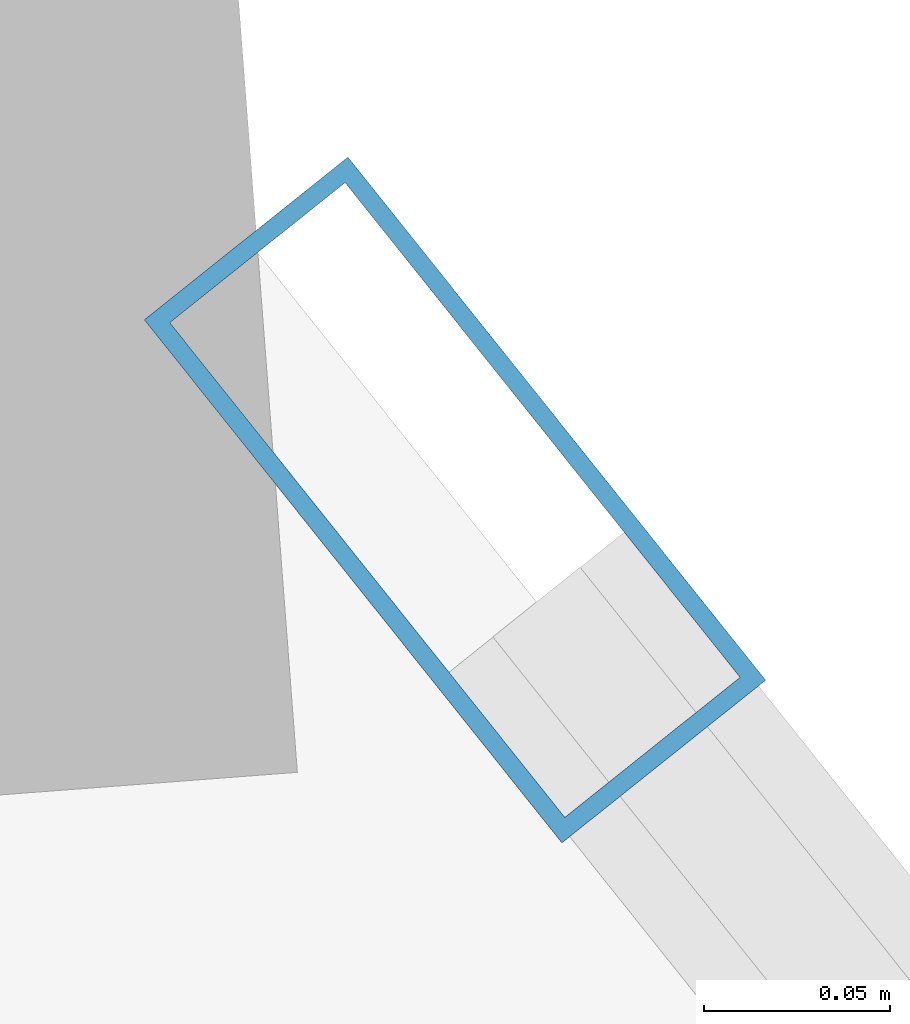
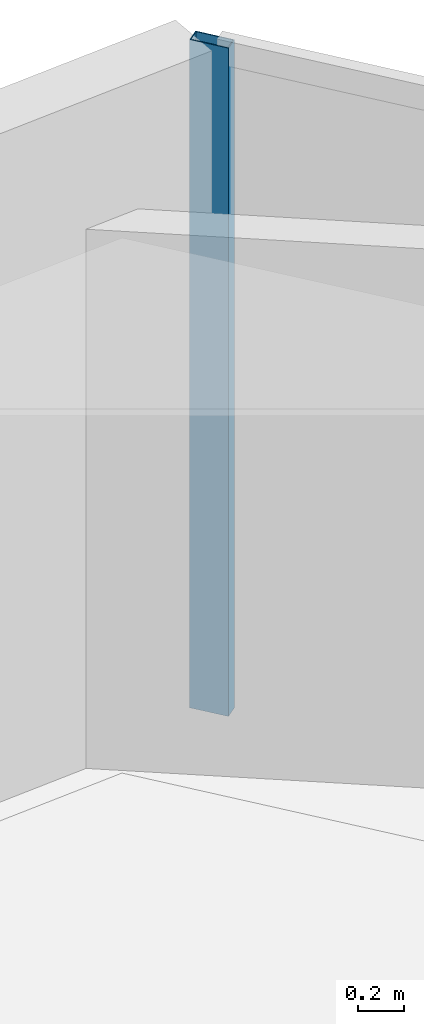
# One storey, part 15 of 23: 1 member, 1 element without a shape of its own.
"""IFC4 building model written with IfcOpenShell, lengths in metres."""

from ifc_helpers import new_model, si_unit, direction, frame, origin, origin_2d, place, context, subcontext, project, spatial, hollow_rectangle, extrude, material, layer, layer_set, material_profile, profile_set, type_object, element, aggregate, save


model = new_model("IFC4")

# Units and contexts
model_context = context("Model", 3, precision=1e-05, world=origin(), true_north=direction((0.0, 1.0)))
body_context = subcontext(model_context, "Body", "Model", "MODEL_VIEW")
ifc_project = project(units=[si_unit("LENGTHUNIT", "METRE"), si_unit("AREAUNIT", "SQUARE_METRE"), si_unit("VOLUMEUNIT", "CUBIC_METRE"), si_unit("PLANEANGLEUNIT", "RADIAN"), si_unit("MASSUNIT", "GRAM", prefix="KILO")], contexts=[model_context])

# Site, building, storey
site_placement = place(None, origin())
site = spatial("IfcSite", under=ifc_project, at=site_placement, CompositionType="ELEMENT")
building_placement = place(site_placement, origin())
building = spatial("IfcBuilding", under=site, at=building_placement, Name="Qianvela Tower", CompositionType="ELEMENT")
storey_placement = place(building_placement, frame((0.0, 0.0, 33.10009765625)))
storey = spatial("IfcBuildingStorey", under=building, at=storey_placement, Name="L07", CompositionType="ELEMENT", Elevation=33.10009765625)

# Curtain wall, member
ifc_material_1 = material(Name="Anodised Architectural Aluminium and Low-E Glass", Category="aluminium")
ifc_layer = layer(ifc_material_1, 0.179931640625)
ifc_layer_set = layer_set([ifc_layer], Name="Anodised Architectural Aluminium and Low-E Glass")
curtain_wall_type = type_object("IfcCurtainWallType", Name="CW-COLIV-Z12", PredefinedType="USERDEFINED", material=ifc_layer_set)
curtain_wall_placement = place(storey_placement, origin())
curtain_wall = element("IfcCurtainWall", 1, at=curtain_wall_placement, inside=storey, type_object=curtain_wall_type, Name="L07 CW-COLIV-Z12 Curtain Wall 02C", ObjectType="CURTAIN_WALL_SYSTEM", PredefinedType="USERDEFINED")
ifc_material_2 = material(Name="Anodised Architectural Aluminium 6063-T6", Category="aluminium")
ifc_material_profile = material_profile(ifc_material_2, hollow_rectangle(XDim=0.070068359375, YDim=0.179931640625, WallThickness=0.0048828125, at=origin_2d()), Name="ALU-MULL-70x180")
ifc_profile_set = profile_set([ifc_material_profile], Name="Anodised Architectural Aluminium 6063-T6")
member_type = type_object("IfcMemberType", Name="CW-COLIV-Z12-MULL", PredefinedType="MULLION", material=ifc_profile_set)
member_placement = place(storey_placement, frame((40.200439453125, 44.3466796875, 0.0), z_axis=(0.0, 0.0, 1.0), x_axis=(-0.781446221617, -0.623972597732, 0.0)))
member = element("IfcMember", 2, at=member_placement, type_object=member_type, Name="CW-3 mullion 2", PredefinedType="MULLION", context=body_context, shape_type="SweptSolid", body=[
    extrude(hollow_rectangle(XDim=0.070068359375, YDim=0.179931640625, WallThickness=0.0048828125, at=origin_2d()), origin(), (0.0, 0.0, 1.0), 3.52001953125),
])
aggregate(curtain_wall, [member])

save(model, "model.ifc")
